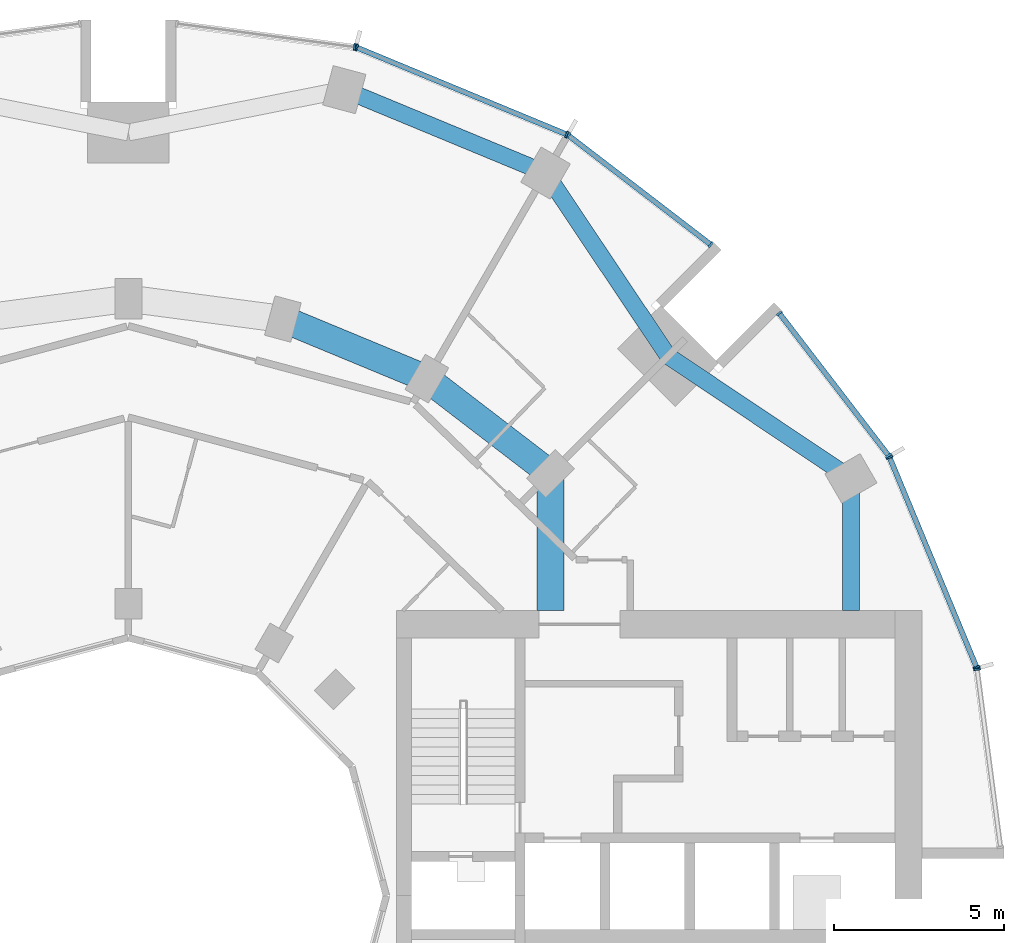
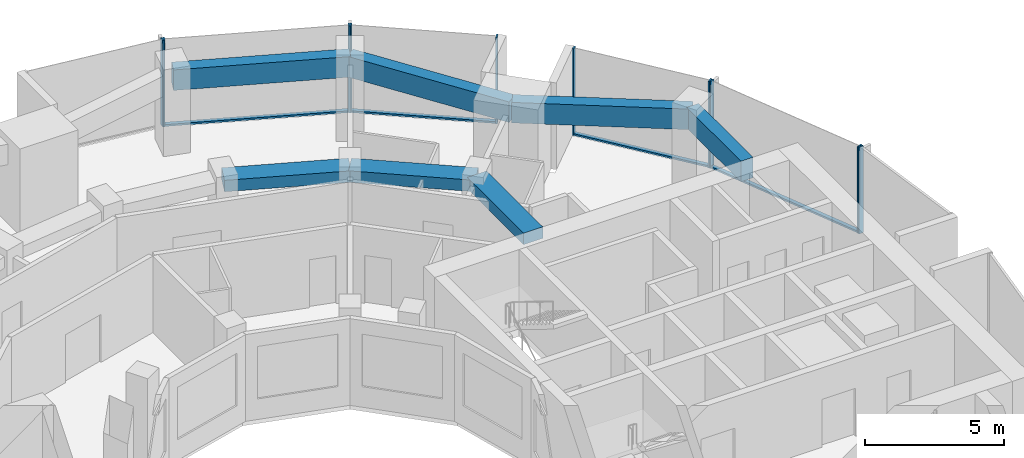
# One storey, part 6 of 15: 14 members, 7 beams, 6 elements without a shape of their own.
"""IFC4 building model written with IfcOpenShell, lengths in metres."""

import ifcopenshell
import ifcopenshell.guid

model = None  # the IFC model being written
_history = None  # IfcOwnerHistory: only IFC2X3 demands one
_inside = {}  # id of a spatial element -> (the spatial element, [elements in it])
_under = {}  # id of a project, library or spatial element -> (it, [spatial elements below it])
_declared = {}  # id of a project -> (the project, [libraries it declares])
_typed = {}  # id of a type object -> (the type object, [elements of that type])
_made_of = {}  # id of a material, layer set ... -> (it, [elements and type objects made of it])


def new_model(schema):
    """Start an empty IFC model of exactly this schema.

    Asked for "IFC4X3", IfcOpenShell would pick the latest addendum, in which some entities
    have other attributes; the version numbers below select the first issue.
    IFC2X3 requires an IfcOwnerHistory on every rooted entity: one is made here for all.
    """
    global model, _history
    if schema == "IFC4X3":
        model = ifcopenshell.file(schema_version=(4, 3, 0, 0))
    else:
        model = ifcopenshell.file(schema=schema)
    _inside.clear()
    _under.clear()
    _declared.clear()
    _typed.clear()
    _made_of.clear()
    _history = None
    if model.schema == "IFC2X3":
        org = make("IfcOrganization", Name="unknown")
        user = make(
            "IfcPersonAndOrganization",
            ThePerson=make("IfcPerson", FamilyName="unknown"),
            TheOrganization=org,
        )
        app = make(
            "IfcApplication",
            ApplicationDeveloper=org,
            Version="unknown",
            ApplicationFullName="unknown",
            ApplicationIdentifier="unknown",
        )
        _history = make(
            "IfcOwnerHistory",
            OwningUser=user,
            OwningApplication=app,
            ChangeAction="ADDED",
            CreationDate=0,
        )
    return model


def make(cls, **values):
    """One entity of the class cls with the attributes given. An attribute that is None is left unset."""
    return model.create_entity(
        cls, **{name: value for name, value in values.items() if value is not None}
    )


def rooted(cls, **values):
    """An entity with a GlobalId (a new one), such as an element, a storey or a relation."""
    return make(cls, GlobalId=ifcopenshell.guid.new(), OwnerHistory=_history, **values)


def si_unit(unit_type, name, prefix=None):
    """IfcSIUnit, for example si_unit("LENGTHUNIT", "METRE", prefix="MILLI")."""
    return make("IfcSIUnit", UnitType=unit_type, Prefix=prefix, Name=name)


def assignment(units):
    """IfcUnitAssignment: the units of a project."""
    return None if units is None else make("IfcUnitAssignment", Units=units)


def point(xyz):
    """IfcCartesianPoint."""
    return None if xyz is None else make("IfcCartesianPoint", Coordinates=xyz)


def direction(xyz):
    """IfcDirection."""
    return None if xyz is None else make("IfcDirection", DirectionRatios=xyz)


def frame(location, z_axis=None, x_axis=None):
    """IfcAxis2Placement3D, a coordinate frame: its origin and axes. An axis left out is left unset."""
    return make(
        "IfcAxis2Placement3D",
        Location=point(location),
        Axis=direction(z_axis),
        RefDirection=direction(x_axis),
    )


def frame_2d(location, x_axis=None):
    """IfcAxis2Placement2D, a coordinate frame in the plane: its origin and x axis."""
    return make(
        "IfcAxis2Placement2D", Location=point(location), RefDirection=direction(x_axis)
    )


def origin():
    """The frame at (0, 0, 0) with its axes left unset."""
    return frame((0.0, 0.0, 0.0))


def origin_2d():
    """The frame at (0, 0) in the plane with its x axis left unset."""
    return frame_2d((0.0, 0.0))


def place(relative_to, where):
    """IfcLocalPlacement: puts the frame where relative to a parent placement (None: the world)."""
    return make(
        "IfcLocalPlacement", PlacementRelTo=relative_to, RelativePlacement=where
    )


def context(
    kind, dimensions, precision=None, world=None, true_north=None, identifier=None
):
    """IfcGeometricRepresentationContext, for example the 3D "Model" context."""
    return make(
        "IfcGeometricRepresentationContext",
        ContextIdentifier=identifier,
        ContextType=kind,
        CoordinateSpaceDimension=dimensions,
        Precision=precision,
        WorldCoordinateSystem=world,
        TrueNorth=true_north,
    )


def subcontext(parent, identifier, kind, view, scale=None):
    """IfcGeometricRepresentationSubContext, for example "Body" below "Model"."""
    return make(
        "IfcGeometricRepresentationSubContext",
        ContextIdentifier=identifier,
        ContextType=kind,
        ParentContext=parent,
        TargetScale=scale,
        TargetView=view,
    )


def project(units=None, contexts=None):
    """IfcProject with its units and contexts."""
    return rooted(
        "IfcProject",
        Name="project",
        RepresentationContexts=contexts,
        UnitsInContext=assignment(units),
    )


def spatial(cls, under=None, at=None, **own):
    """A site, building, storey or space (cls), placed at a placement, below another one or the project."""
    s = rooted(cls, ObjectPlacement=at, **own)
    if under is not None:
        _under.setdefault(under.id(), (under, []))[1].append(s)
    return s


def profile(cls, at=None, kind="AREA", **sizes):
    """A parametric profile (cls). Its sizes go by their IFC names, for example OverallWidth=200.0."""
    return make(cls, ProfileType=kind, Position=at, **sizes)


def rectangle(**sizes):
    """IfcRectangleProfileDef."""
    return profile("IfcRectangleProfileDef", **sizes)


def extrude(swept, where, along, depth):
    """IfcExtrudedAreaSolid: the profile swept, set in the frame where, extruded along a direction by depth."""
    return make(
        "IfcExtrudedAreaSolid",
        SweptArea=swept,
        Position=where,
        ExtrudedDirection=direction(along),
        Depth=depth,
    )


def shape(context_of_items, identifier, shape_type, items):
    """IfcShapeRepresentation: the items that make up one representation, for example the "Body"."""
    return make(
        "IfcShapeRepresentation",
        ContextOfItems=context_of_items,
        RepresentationIdentifier=identifier,
        RepresentationType=shape_type,
        Items=items,
    )


def material(Name=None, Category=None):
    """IfcMaterial."""
    return make("IfcMaterial", Name=Name, Category=Category)


def layer(
    of_material, thickness, ventilated=None, Name=None, Category=None, Priority=None
):
    """IfcMaterialLayer: one layer of a wall or slab, of a material (None: an air gap)."""
    return make(
        "IfcMaterialLayer",
        Material=of_material,
        LayerThickness=thickness,
        IsVentilated=ventilated,
        Name=Name,
        Category=Category,
        Priority=Priority,
    )


def layer_set(layers, Name=None):
    """IfcMaterialLayerSet."""
    return make("IfcMaterialLayerSet", MaterialLayers=layers, LayerSetName=Name)


def material_profile(
    of_material, cross_section, Name=None, Category=None, Priority=None
):
    """IfcMaterialProfile: a cross section and its material."""
    return make(
        "IfcMaterialProfile",
        Name=Name,
        Material=of_material,
        Profile=cross_section,
        Priority=Priority,
        Category=Category,
    )


def profile_set(profiles, Name=None, composite=None):
    """IfcMaterialProfileSet."""
    return make(
        "IfcMaterialProfileSet",
        Name=Name,
        MaterialProfiles=profiles,
        CompositeProfile=composite,
    )


def made_of(thing, what):
    """Note that an element or type object is made of a material, layer set ...; save() writes the relation."""
    if what is not None:
        _made_of.setdefault(what.id(), (what, []))[1].append(thing)
    return thing


def type_object(cls, material=None, **own):
    """A type object (cls), such as IfcWallType, which elements share."""
    return made_of(rooted(cls, **own), material)


def element(
    cls,
    number,
    at=None,
    inside=None,
    cuts=None,
    type_object=None,
    material=None,
    context=None,
    identifier="Body",
    shape_type=None,
    held_by="IfcProductDefinitionShape",
    body=None,
    shapes=None,
    **own,
):
    """One element of the class cls, such as IfcWall. Its Tag is "e" and its number.

    at: its placement. inside: the storey or other place that contains it. cuts: it is an
    opening in that element (IfcRelVoidsElement). A single representation is given by context,
    identifier, shape_type and body (its items); several are given by shapes. held_by: the class
    of the entity that holds the representations. save() writes the other relations.
    """
    e = rooted(cls, Tag="e%d" % number, ObjectPlacement=at, **own)
    if body is not None:
        shapes = [shape(context, identifier, shape_type, body)]
    if shapes is not None:
        e.Representation = make(held_by, Representations=shapes)
    if inside is not None:
        _inside.setdefault(inside.id(), (inside, []))[1].append(e)
    if cuts is not None:
        rooted(
            "IfcRelVoidsElement", RelatingBuildingElement=cuts, RelatedOpeningElement=e
        )
    if type_object is not None:
        _typed.setdefault(type_object.id(), (type_object, []))[1].append(e)
    return made_of(e, material)


def aggregate(whole, parts):
    """IfcRelAggregates: a whole, such as a stair, and the parts it consists of."""
    return rooted("IfcRelAggregates", RelatingObject=whole, RelatedObjects=parts)


def save(model, path):
    """Write the relations noted so far, then the file.

    IfcRelAggregates (storeys below a building ...), IfcRelContainedInSpatialStructure (elements
    in a storey), IfcRelDefinesByType, IfcRelAssociatesMaterial and IfcRelDeclares: one each for
    every whole, place, type object, material and project.
    """
    for whole, parts in _under.values():
        aggregate(whole, parts)
    for where, things in _inside.values():
        rooted(
            "IfcRelContainedInSpatialStructure",
            RelatedElements=things,
            RelatingStructure=where,
        )
    for kind, things in _typed.values():
        rooted("IfcRelDefinesByType", RelatedObjects=things, RelatingType=kind)
    for what, things in _made_of.values():
        rooted("IfcRelAssociatesMaterial", RelatedObjects=things, RelatingMaterial=what)
    for by, libraries in _declared.values():
        rooted("IfcRelDeclares", RelatingContext=by, RelatedDefinitions=libraries)
    model.write(path)


model = new_model("IFC4")

# Units and contexts
model_context = context("Model", 3, precision=1e-05, world=origin(), true_north=direction((0.0, 1.0)))
body_context = subcontext(model_context, "Body", "Model", "MODEL_VIEW")
ifc_project = project(units=[si_unit("LENGTHUNIT", "METRE"), si_unit("AREAUNIT", "SQUARE_METRE"), si_unit("VOLUMEUNIT", "CUBIC_METRE"), si_unit("PLANEANGLEUNIT", "RADIAN"), si_unit("MASSUNIT", "GRAM", prefix="KILO")], contexts=[model_context])

# Site, building, storey
site_placement = place(None, origin())
site = spatial("IfcSite", under=ifc_project, at=site_placement, CompositionType="ELEMENT")
building_placement = place(site_placement, origin())
building = spatial("IfcBuilding", under=site, at=building_placement, Name="Torre Brocal", CompositionType="ELEMENT")
storey_placement = place(building_placement, frame((0.0, 0.0, 101.39990234375)))
storey = spatial("IfcBuildingStorey", under=building, at=storey_placement, Name="L23", CompositionType="ELEMENT", Elevation=101.39990234375)

# Curtain wall, members
ifc_material_1 = material(Name="Aluminium and glass", Category="aluminium")
ifc_layer_1 = layer(ifc_material_1, 0.199951171875)
ifc_layer_set_1 = layer_set([ifc_layer_1], Name="Aluminium and glass")
curtain_wall_type_1 = type_object("IfcCurtainWallType", Name="CW-1 CURTAIN WALL 3800 HIGH", PredefinedType="NOTDEFINED", material=ifc_layer_set_1)
curtain_wall_1_placement = place(storey_placement, origin())
curtain_wall_1 = element("IfcCurtainWall", 1, at=curtain_wall_1_placement, inside=storey, type_object=curtain_wall_type_1, Name="CW-1 RUN 2", PredefinedType="NOTDEFINED")
ifc_material_2 = material(Name="Aluminium, dark anodised", Category="aluminium")
ifc_material_profile_1 = material_profile(ifc_material_2, rectangle(XDim=0.199951171875, YDim=0.06005859375, at=origin_2d()), Name="CW-1 MULLION 60X200")
ifc_profile_set_1 = profile_set([ifc_material_profile_1], Name="Aluminium, dark anodised")
member_type_1 = type_object("IfcMemberType", Name="CW-1 MULLION 60X200", PredefinedType="MULLION", material=ifc_profile_set_1)
member_1_placement = place(storey_placement, frame((105.005126953125, 81.73095703125, 0.0), z_axis=(0.0, 0.0, 1.0), x_axis=(-0.923879532525, -0.382683432333, 0.0)))
member_1 = element("IfcMember", 2, at=member_1_placement, type_object=member_type_1, Name="CW1-1 mullion 1", PredefinedType="MULLION", context=body_context, shape_type="SweptSolid", body=[
    extrude(rectangle(XDim=0.199951171875, YDim=0.06005859375, at=origin_2d()), origin(), (0.0, 0.0, 1.0), 3.800048828125),
])
member_2_placement = place(storey_placement, frame((102.440673828125, 87.921875, 0.0), z_axis=(0.0, 0.0, 1.0), x_axis=(-0.923879532525, -0.382683432333, 0.0)))
member_2 = element("IfcMember", 3, at=member_2_placement, type_object=member_type_1, Name="CW1-1 mullion 2", PredefinedType="MULLION", context=body_context, shape_type="SweptSolid", body=[
    extrude(rectangle(XDim=0.199951171875, YDim=0.06005859375, at=origin_2d()), origin(), (0.0, 0.0, 1.0), 3.800048828125),
])

curtain_wall_2_placement = place(storey_placement, origin())
curtain_wall_2 = element("IfcCurtainWall", 4, at=curtain_wall_2_placement, inside=storey, type_object=curtain_wall_type_1, Name="CW-1 RUN 3", PredefinedType="NOTDEFINED")
member_3_placement = place(storey_placement, frame((102.4111328125, 87.973388671875, 0.0), z_axis=(0.0, 0.0, 1.0), x_axis=(-0.793353340259, -0.60876142905, 0.0)))
member_3 = element("IfcMember", 5, at=member_3_placement, type_object=member_type_1, Name="CW1-1 mullion 1", PredefinedType="MULLION", context=body_context, shape_type="SweptSolid", body=[
    extrude(rectangle(XDim=0.199951171875, YDim=0.06005859375, at=origin_2d()), origin(), (0.0, 0.0, 1.0), 3.800048828125),
])
member_4_placement = place(storey_placement, frame((99.19140625, 92.16943359375, 0.0), z_axis=(0.0, 0.0, 1.0), x_axis=(-0.793353340259, -0.60876142905, 0.0)))
member_4 = element("IfcMember", 6, at=member_4_placement, type_object=member_type_1, Name="CW1-1 mullion 2", PredefinedType="MULLION", context=body_context, shape_type="SweptSolid", body=[
    extrude(rectangle(XDim=0.199951171875, YDim=0.06005859375, at=origin_2d()), origin(), (0.0, 0.0, 1.0), 3.800048828125),
])

curtain_wall_3_placement = place(storey_placement, origin())
curtain_wall_3 = element("IfcCurtainWall", 7, at=curtain_wall_3_placement, inside=storey, type_object=curtain_wall_type_1, Name="CW-1 RUN 4", PredefinedType="NOTDEFINED")
member_5_placement = place(storey_placement, frame((97.16943359375, 94.19140625, 0.0), z_axis=(0.0, 0.0, 1.0), x_axis=(-0.60876142905, -0.793353340259, 0.0)))
member_5 = element("IfcMember", 8, at=member_5_placement, type_object=member_type_1, Name="CW1-1 mullion 1", PredefinedType="MULLION", context=body_context, shape_type="SweptSolid", body=[
    extrude(rectangle(XDim=0.199951171875, YDim=0.06005859375, at=origin_2d()), origin(), (0.0, 0.0, 1.0), 3.800048828125),
])
member_6_placement = place(storey_placement, frame((92.973388671875, 97.4111328125, 0.0), z_axis=(0.0, 0.0, 1.0), x_axis=(-0.60876142905, -0.793353340259, 0.0)))
member_6 = element("IfcMember", 9, at=member_6_placement, type_object=member_type_1, Name="CW1-1 mullion 2", PredefinedType="MULLION", context=body_context, shape_type="SweptSolid", body=[
    extrude(rectangle(XDim=0.199951171875, YDim=0.06005859375, at=origin_2d()), origin(), (0.0, 0.0, 1.0), 3.800048828125),
])

curtain_wall_4_placement = place(storey_placement, origin())
curtain_wall_4 = element("IfcCurtainWall", 10, at=curtain_wall_4_placement, inside=storey, type_object=curtain_wall_type_1, Name="CW-1 RUN 5", PredefinedType="NOTDEFINED")
member_7_placement = place(storey_placement, frame((92.921875, 97.440673828125, 0.0), z_axis=(0.0, 0.0, 1.0), x_axis=(-0.382683432333, -0.923879532525, 0.0)))
member_7 = element("IfcMember", 11, at=member_7_placement, type_object=member_type_1, Name="CW1-1 mullion 1", PredefinedType="MULLION", context=body_context, shape_type="SweptSolid", body=[
    extrude(rectangle(XDim=0.199951171875, YDim=0.06005859375, at=origin_2d()), origin(), (0.0, 0.0, 1.0), 3.800048828125),
])
member_8_placement = place(storey_placement, frame((86.73095703125, 100.005126953125, 0.0), z_axis=(0.0, 0.0, 1.0), x_axis=(-0.382683432333, -0.923879532525, 0.0)))
member_8 = element("IfcMember", 12, at=member_8_placement, type_object=member_type_1, Name="CW1-1 mullion 2", PredefinedType="MULLION", context=body_context, shape_type="SweptSolid", body=[
    extrude(rectangle(XDim=0.199951171875, YDim=0.06005859375, at=origin_2d()), origin(), (0.0, 0.0, 1.0), 3.800048828125),
])

# Curtain wall, member
curtain_wall_5_placement = place(storey_placement, origin())
curtain_wall_5 = element("IfcCurtainWall", 13, at=curtain_wall_5_placement, inside=storey, type_object=curtain_wall_type_1, Name="CW-1 RUN 6", PredefinedType="NOTDEFINED")
member_9_placement = place(storey_placement, frame((86.67333984375, 100.0205078125, 0.0), z_axis=(0.0, 0.0, 1.0), x_axis=(-0.13052619222, -0.991444861374, 0.0)))
member_9 = element("IfcMember", 14, at=member_9_placement, type_object=member_type_1, Name="CW1-1 mullion 1", PredefinedType="MULLION", context=body_context, shape_type="SweptSolid", body=[
    extrude(rectangle(XDim=0.199951171875, YDim=0.06005859375, at=origin_2d()), origin(), (0.0, 0.0, 1.0), 3.800048828125),
])
aggregate(curtain_wall_5, [member_9])

# Member
ifc_material_3 = material(Name="Aluminium, dark anodised", Category="aluminium")
ifc_material_profile_2 = material_profile(ifc_material_3, rectangle(XDim=0.159912109375, YDim=0.080078125, at=origin_2d()), Name="CW-1 TRANSOM 160X80")
ifc_profile_set_2 = profile_set([ifc_material_profile_2], Name="Aluminium, dark anodised")
member_type_2 = type_object("IfcMemberType", Name="CW-1 TRANSOM 160X80", PredefinedType="USERDEFINED", material=ifc_profile_set_2)
member_10_placement = place(storey_placement, frame((104.99365234375, 81.758544921875, 0.0400390625), z_axis=(-0.38266457234, 0.923887344364, 0.0), x_axis=(-0.923887344364, -0.38266457234, 0.0)))
member_10 = element("IfcMember", 15, at=member_10_placement, type_object=member_type_2, Name="CW1-1 transom 1.1", ObjectType="TRANSOM", PredefinedType="USERDEFINED", context=body_context, shape_type="SweptSolid", body=[
    extrude(rectangle(XDim=0.159912109375, YDim=0.080078125, at=origin_2d()), origin(), (0.0, 0.0, 1.0), 6.640869140625),
])

aggregate(curtain_wall_1, [member_1, member_2, member_10])

member_11_placement = place(storey_placement, frame((102.392822265625, 87.9970703125, 0.0400390625), z_axis=(-0.60874908096, 0.79336281513, 0.0), x_axis=(-0.79336281513, -0.60874908096, 0.0)))
member_11 = element("IfcMember", 16, at=member_11_placement, type_object=member_type_2, Name="CW1-1 transom 1.1", ObjectType="TRANSOM", PredefinedType="USERDEFINED", context=body_context, shape_type="SweptSolid", body=[
    extrude(rectangle(XDim=0.159912109375, YDim=0.080078125, at=origin_2d()), origin(), (0.0, 0.0, 1.0), 5.22900390625),
])

aggregate(curtain_wall_2, [member_3, member_4, member_11])

member_12_placement = place(storey_placement, frame((97.1455078125, 94.209716796875, 0.0400390625), z_axis=(-0.79336281513, 0.60874908096, 0.0), x_axis=(-0.60874908096, -0.79336281513, 0.0)))
member_12 = element("IfcMember", 17, at=member_12_placement, type_object=member_type_2, Name="CW1-1 transom 1.1", ObjectType="TRANSOM", PredefinedType="USERDEFINED", context=body_context, shape_type="SweptSolid", body=[
    extrude(rectangle(XDim=0.159912109375, YDim=0.080078125, at=origin_2d()), origin(), (0.0, 0.0, 1.0), 5.22900390625),
])

aggregate(curtain_wall_3, [member_5, member_6, member_12])

member_13_placement = place(storey_placement, frame((92.89404296875, 97.452392578125, 0.0400390625), z_axis=(-0.923887344364, 0.38266457234, 0.0), x_axis=(-0.38266457234, -0.923887344364, 0.0)))
member_13 = element("IfcMember", 18, at=member_13_placement, type_object=member_type_2, Name="CW1-1 transom 1.1", ObjectType="TRANSOM", PredefinedType="USERDEFINED", context=body_context, shape_type="SweptSolid", body=[
    extrude(rectangle(XDim=0.159912109375, YDim=0.080078125, at=origin_2d()), origin(), (0.0, 0.0, 1.0), 6.640869140625),
])

aggregate(curtain_wall_4, [member_7, member_8, member_13])

# Curtain wall, member
ifc_material_4 = material(Name="Aluminium and glass", Category="aluminium")
ifc_layer_2 = layer(ifc_material_4, 0.199951171875)
ifc_layer_set_2 = layer_set([ifc_layer_2], Name="Aluminium and glass")
curtain_wall_type_2 = type_object("IfcCurtainWallType", Name="CW-1B CURTAIN WALL 3800 HIGH", PredefinedType="NOTDEFINED", material=ifc_layer_set_2)
curtain_wall_6_placement = place(storey_placement, origin())
curtain_wall_6 = element("IfcCurtainWall", 19, at=curtain_wall_6_placement, inside=storey, type_object=curtain_wall_type_2, Name="CW-1B RUN 1", PredefinedType="NOTDEFINED")
ifc_material_5 = material(Name="Aluminium, dark anodised", Category="aluminium")
ifc_material_profile_3 = material_profile(ifc_material_5, rectangle(XDim=0.199951171875, YDim=0.06005859375, at=origin_2d()), Name="CW-1B MULLION 60X200")
ifc_profile_set_3 = profile_set([ifc_material_profile_3], Name="Aluminium, dark anodised")
member_type_3 = type_object("IfcMemberType", Name="CW-1B MULLION 60X200", PredefinedType="MULLION", material=ifc_profile_set_3)
member_14_placement = place(storey_placement, frame((105.0205078125, 81.67333984375, 0.0), z_axis=(0.0, 0.0, 1.0), x_axis=(-0.991444861374, -0.13052619222, 0.0)))
member_14 = element("IfcMember", 20, at=member_14_placement, type_object=member_type_3, Name="CW1B-1 mullion 2", PredefinedType="MULLION", context=body_context, shape_type="SweptSolid", body=[
    extrude(rectangle(XDim=0.199951171875, YDim=0.06005859375, at=origin_2d()), origin(), (0.0, 0.0, 1.0), 3.800048828125),
])
aggregate(curtain_wall_6, [member_14])

# Beams
ifc_material_6 = material(Name="Concrete C50", Category="concrete")
ifc_material_profile_4 = material_profile(ifc_material_6, rectangle(XDim=0.800048828125, YDim=0.5, at=origin_2d()), Name="RC 800X500")
ifc_profile_set_4 = profile_set([ifc_material_profile_4], Name="Concrete C50")
beam_type_1 = type_object("IfcBeamType", Name="RC BEAM 800X500 C50 TOP 3480", PredefinedType="BEAM", material=ifc_profile_set_4)
beam_1_placement = place(storey_placement, frame((92.445068359375, 87.445068359375, 3.22998046875), z_axis=(-0.793358265959, 0.6087550097, 0.0), x_axis=(-0.6087550097, -0.793358265959, 0.0)))
element("IfcBeam", 21, at=beam_1_placement, inside=storey, type_object=beam_type_1, Name="Beam BT-19", PredefinedType="BEAM", context=body_context, shape_type="SweptSolid", body=[
    extrude(rectangle(XDim=0.800048828125, YDim=0.5, at=origin_2d()), origin(), (0.0, 0.0, 1.0), 4.594482421875),
])
beam_2_placement = place(storey_placement, frame((88.800048828125, 90.241943359375, 3.22998046875), z_axis=(-0.923878240166, 0.382686552348, 0.0), x_axis=(-0.382686552348, -0.923878240166, 0.0)))
element("IfcBeam", 22, at=beam_2_placement, inside=storey, type_object=beam_type_1, Name="Beam BT-19", PredefinedType="BEAM", context=body_context, shape_type="SweptSolid", body=[
    extrude(rectangle(XDim=0.800048828125, YDim=0.5, at=origin_2d()), origin(), (0.0, 0.0, 1.0), 4.5947265625),
])
beam_3_placement = place(storey_placement, frame((92.445068359375, 87.445068359375, 3.22998046875), z_axis=(0.0, -1.0, 0.0), x_axis=(1.0, 0.0, 0.0)))
element("IfcBeam", 23, at=beam_3_placement, inside=storey, type_object=beam_type_1, Name="Beam BT-19", PredefinedType="BEAM", context=body_context, shape_type="SweptSolid", body=[
    extrude(rectangle(XDim=0.800048828125, YDim=0.5, at=origin_2d()), origin(), (0.0, 0.0, 1.0), 4.045166015625),
])
ifc_material_7 = material(Name="Concrete C50", Category="concrete")
ifc_material_profile_5 = material_profile(ifc_material_7, rectangle(XDim=0.5, YDim=0.89990234375, at=origin_2d()), Name="RC 500X900")
ifc_profile_set_5 = profile_set([ifc_material_profile_5], Name="Concrete C50")
beam_type_2 = type_object("IfcBeamType", Name="RC SPANDREL BEAM 500X900 C50 TOP 3480", PredefinedType="SPANDREL", material=ifc_profile_set_5)
for number, where, z_axis, x_axis, name in (
    (24, (101.30419921875, 87.300048828125, 3.030029296875), (-0.831076844476, 0.556157602282, 0.0), (-0.556157602282, -0.831076844476, 0.0), "Beam BT-20"),
    (25, (95.909912109375, 90.909912109375, 3.030029296875), (-0.556157602282, 0.831076844476, 0.0), (-0.831076844476, -0.556157602282, 0.0), "Beam BT-20"),
):
    element("IfcBeam", number, at=place(storey_placement, frame(where, z_axis=z_axis, x_axis=x_axis)), inside=storey, type_object=beam_type_2, Name=name, PredefinedType="SPANDREL", context=body_context, shape_type="SweptSolid", body=[
        extrude(rectangle(XDim=0.5, YDim=0.89990234375, at=origin_2d()), origin(), (0.0, 0.0, 1.0), 6.49072265625),
    ])
beam_4_placement = place(storey_placement, frame((92.300048828125, 96.30419921875, 3.030029296875), z_axis=(-0.923882462513, 0.382676358639, 0.0), x_axis=(-0.382676358639, -0.923882462513, 0.0)))
element("IfcBeam", 26, at=beam_4_placement, inside=storey, type_object=beam_type_2, Name="Beam BT-20", PredefinedType="SPANDREL", context=body_context, shape_type="SweptSolid", body=[
    extrude(rectangle(XDim=0.5, YDim=0.89990234375, at=origin_2d()), origin(), (0.0, 0.0, 1.0), 6.421875),
])
beam_5_placement = place(storey_placement, frame((101.30419921875, 87.300048828125, 3.030029296875), z_axis=(0.0, -1.0, 0.0), x_axis=(1.0, 0.0, 0.0)))
element("IfcBeam", 27, at=beam_5_placement, inside=storey, type_object=beam_type_2, Name="Beam BT-20", PredefinedType="SPANDREL", context=body_context, shape_type="SweptSolid", body=[
    extrude(rectangle(XDim=0.5, YDim=0.89990234375, at=origin_2d()), origin(), (0.0, 0.0, 1.0), 3.900146484375),
])

save(model, "model.ifc")
